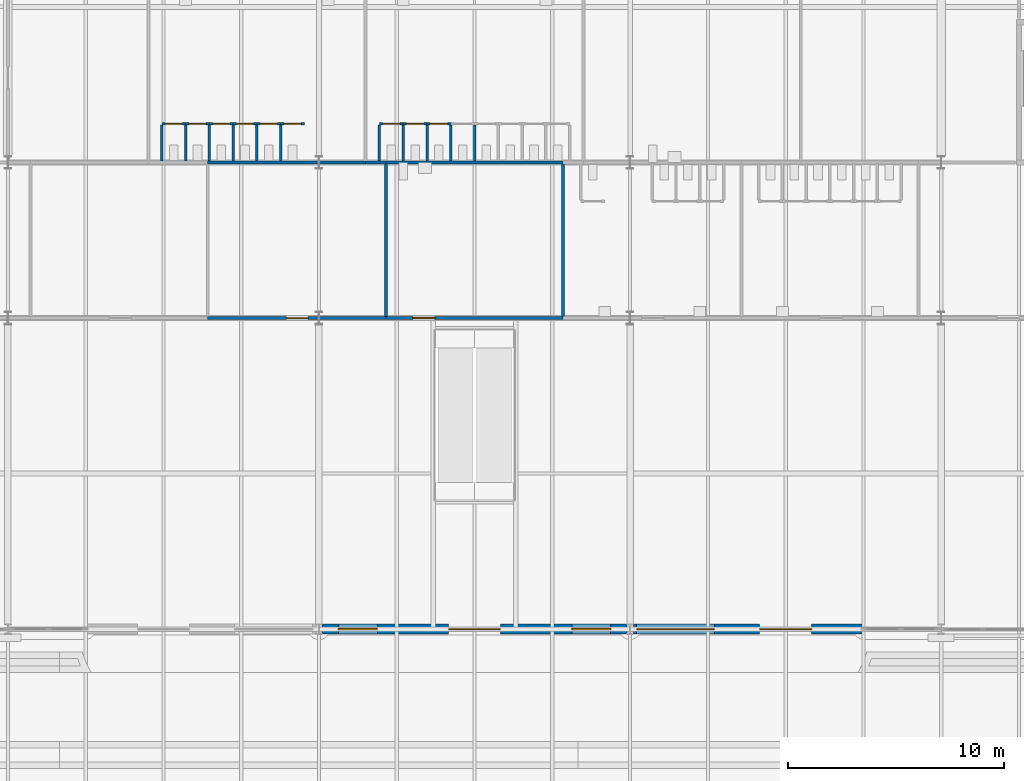
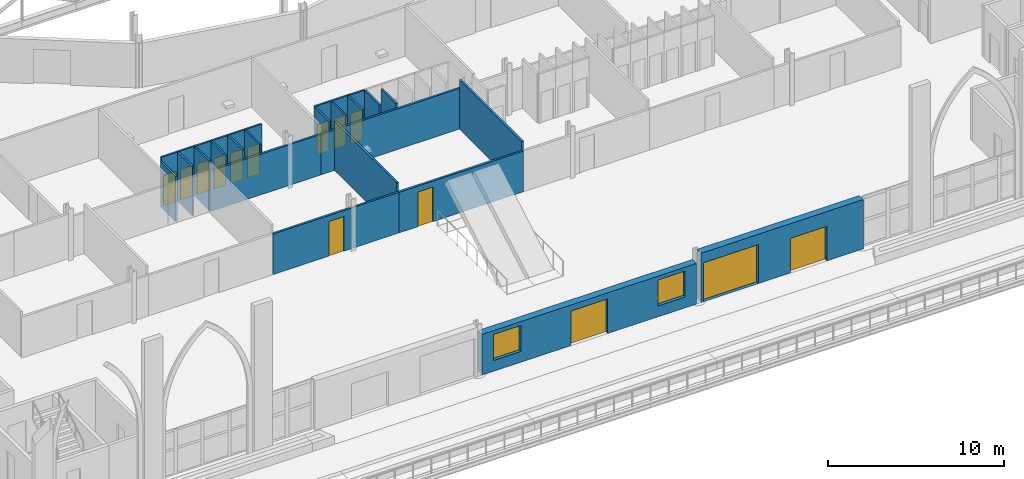
# One storey, part 69 of 143: 29 walls, 14 doors, 2 windows, 16 openings.
"""IFC4 building model written with IfcOpenShell, lengths in metres."""

from ifc_helpers import new_model, si_unit, direction, frame, frame_2d, origin, place, context, subcontext, project, spatial, rectangle, extrude, material, layer, layer_set, type_object, element, fill, save


model = new_model("IFC4")

# Units and contexts
model_context = context("Model", 3, precision=1e-05, world=origin(), true_north=direction((0.0, 1.0)))
body_context = subcontext(model_context, "Body", "Model", "MODEL_VIEW")
ifc_project = project(units=[si_unit("LENGTHUNIT", "METRE"), si_unit("AREAUNIT", "SQUARE_METRE"), si_unit("VOLUMEUNIT", "CUBIC_METRE"), si_unit("PLANEANGLEUNIT", "RADIAN"), si_unit("MASSUNIT", "GRAM", prefix="KILO")], contexts=[model_context])

# Site, building, storey
site_placement = place(None, origin())
site = spatial("IfcSite", under=ifc_project, at=site_placement, CompositionType="ELEMENT")
building_placement = place(site_placement, origin())
building = spatial("IfcBuilding", under=site, at=building_placement, Name="Kupolbacken Congress Centre", CompositionType="ELEMENT")
storey_placement = place(building_placement, frame((0.0, 0.0, 7.199951171875)))
storey = spatial("IfcBuildingStorey", under=building, at=storey_placement, Name="L02", CompositionType="ELEMENT", Elevation=7.199951171875)

# Wall, openings, door, windows
ifc_material_1 = material(Name="Concrete C40/50", Category="concrete")
ifc_layer_1 = layer(ifc_material_1, 0.1201171875)
ifc_material_2 = material(Name="Mineral wool", Category="insulation")
ifc_layer_2 = layer(ifc_material_2, 0.19189453125)
ifc_material_3 = material(Name="Air cavity", Category="air")
ifc_layer_3 = layer(ifc_material_3, 0.0400390625, ventilated=True)
ifc_material_4 = material(Name="Brick", Category="masonry")
ifc_layer_4 = layer(ifc_material_4, 0.10791015625)
ifc_layer_set_1 = layer_set([ifc_layer_1, ifc_layer_2, ifc_layer_3, ifc_layer_4], Name="Concrete C40/50 / Mineral wool / Brick")
wall_type_1 = type_object("IfcWallType", Name="EW06 external cavity wall 460", PredefinedType="SOLIDWALL", material=ifc_layer_set_1)
wall_1_placement = place(storey_placement, frame((36.14990234375, 28.800048828125, 0.0), z_axis=(0.0, 0.0, 1.0), x_axis=(1.0, 0.0, 0.0)))
wall_1 = element("IfcWall", 1, at=wall_1_placement, inside=storey, type_object=wall_type_1, Name="E/F/S/L02/235", PredefinedType="SOLIDWALL", context=body_context, shape_type="SweptSolid", body=[
    extrude(rectangle(XDim=14.10009765625, YDim=0.4599609375, at=frame_2d((7.050048828125, 0.0))), origin(), (0.0, 0.0, 1.0), 2.820068359375),
])
opening_1_placement = place(wall_1_placement, frame((5.85009765625, 0.0, 0.0)))
opening_1 = element("IfcOpeningElement", 2, at=opening_1_placement, cuts=wall_1, Name="Opening D18", PredefinedType="OPENING", context=body_context, shape_type="SweptSolid", body=[
    extrude(rectangle(XDim=2.39990234375, YDim=2.39990234375, at=frame_2d((1.199951171875, 1.199951171875))), frame((0.0, 0.239990234375, 0.0), z_axis=(0.0, -1.0, 0.0), x_axis=(1.0, 0.0, 0.0)), (0.0, 0.0, 1.0), 0.47998046875),
])
opening_2_placement = place(wall_1_placement, frame((0.75, 0.0, 0.75)))
opening_2 = element("IfcOpeningElement", 3, at=opening_2_placement, cuts=wall_1, Name="Opening W7", PredefinedType="OPENING", context=body_context, shape_type="SweptSolid", body=[
    extrude(rectangle(XDim=1.800048828125, YDim=1.800048828125, at=frame_2d((0.89990234375, 0.89990234375))), frame((0.0, 0.239990234375, 0.0), z_axis=(0.0, -1.0, 0.0), x_axis=(1.0, 0.0, 0.0)), (0.0, 0.0, 1.0), 0.47998046875),
])
opening_3_placement = place(wall_1_placement, frame((11.550048828125, 0.0, 0.75)))
opening_3 = element("IfcOpeningElement", 4, at=opening_3_placement, cuts=wall_1, Name="Opening W7", PredefinedType="OPENING", context=body_context, shape_type="SweptSolid", body=[
    extrude(rectangle(XDim=1.800048828125, YDim=1.800048828125, at=frame_2d((0.89990234375, 0.89990234375))), frame((0.0, 0.239990234375, 0.0), z_axis=(0.0, -1.0, 0.0), x_axis=(1.0, 0.0, 0.0)), (0.0, 0.0, 1.0), 0.47998046875),
])
ifc_material_5 = material(Name="Timber door leaf", Category="wood")
door_type_1 = type_object("IfcDoorType", Name="D18 door 2400x2400", OperationType="DOUBLE_DOOR_SINGLE_SWING", PredefinedType="DOOR", material=ifc_material_5)
door_1_placement = place(opening_1_placement, frame((2.39990234375, 0.0, 0.0), z_axis=(0.0, 0.0, 1.0), x_axis=(-1.0, 0.0, 0.0)))
door_1 = element("IfcDoor", 5, at=door_1_placement, inside=storey, type_object=door_type_1, Name="Terrace door 2", OperationType="DOUBLE_DOOR_SINGLE_SWING", OverallHeight=2.39990234375, OverallWidth=2.39990234375, PredefinedType="DOOR", context=body_context, shape_type="SweptSolid", body=[
    extrude(rectangle(XDim=2.39990234375, YDim=2.39990234375, at=frame_2d((1.199951171875, 1.199951171875))), frame((0.0, 0.02490234375, 0.0), z_axis=(0.0, -1.0, 0.0), x_axis=(1.0, 0.0, 0.0)), (0.0, 0.0, 1.0), 0.050048828125),
])
fill(opening_1, door_1)
ifc_material_6 = material(Name="Aluminium frame with double or triple glazing", Category="aluminium")
window_type = type_object("IfcWindowType", Name="W7 window 1800x1800", PartitioningType="DOUBLE_PANEL_VERTICAL", PredefinedType="WINDOW", material=ifc_material_6)
window_1_placement = place(opening_2_placement, origin())
window_1 = element("IfcWindow", 6, at=window_1_placement, inside=storey, type_object=window_type, Name="E/F/S/L02/235/W1", OverallHeight=1.800048828125, OverallWidth=1.800048828125, PartitioningType="SINGLE_PANEL", PredefinedType="WINDOW", context=body_context, shape_type="SweptSolid", body=[
    extrude(rectangle(XDim=1.800048828125, YDim=1.800048828125, at=frame_2d((0.89990234375, 0.89990234375))), frame((0.0, 0.030029296875, 0.0), z_axis=(0.0, -1.0, 0.0), x_axis=(1.0, 0.0, 0.0)), (0.0, 0.0, 1.0), 0.06005859375),
])
fill(opening_2, window_1)
window_2_placement = place(opening_3_placement, origin())
window_2 = element("IfcWindow", 7, at=window_2_placement, inside=storey, type_object=window_type, Name="E/F/S/L02/235/W2", OverallHeight=1.800048828125, OverallWidth=1.800048828125, PartitioningType="SINGLE_PANEL", PredefinedType="WINDOW", context=body_context, shape_type="SweptSolid", body=[
    extrude(rectangle(XDim=1.800048828125, YDim=1.800048828125, at=frame_2d((0.89990234375, 0.89990234375))), frame((0.0, 0.030029296875, 0.0), z_axis=(0.0, -1.0, 0.0), x_axis=(1.0, 0.0, 0.0)), (0.0, 0.0, 1.0), 0.06005859375),
])
fill(opening_3, window_2)

# Wall, openings, doors
wall_2_placement = place(storey_placement, frame((50.550048828125, 28.800048828125, 0.0), z_axis=(0.0, 0.0, 1.0), x_axis=(1.0, 0.0, 0.0)))
wall_2 = element("IfcWall", 8, at=wall_2_placement, inside=storey, type_object=wall_type_1, Name="E/F/S/L02/236", PredefinedType="SOLIDWALL", context=body_context, shape_type="SweptSolid", body=[
    extrude(rectangle(XDim=10.64990234375, YDim=0.4599609375, at=frame_2d((5.324951171875, 0.0))), origin(), (0.0, 0.0, 1.0), 3.420166015625),
])
opening_4_placement = place(wall_2_placement, frame((0.14990234375, 0.0, 0.0)))
opening_4 = element("IfcOpeningElement", 9, at=opening_4_placement, cuts=wall_2, Name="Opening D40", PredefinedType="OPENING", context=body_context, shape_type="SweptSolid", body=[
    extrude(rectangle(XDim=3.60009765625, YDim=2.699951171875, at=frame_2d((1.800048828125, 1.35009765625))), frame((0.0, 0.239990234375, 0.0), z_axis=(0.0, -1.0, 0.0), x_axis=(1.0, 0.0, 0.0)), (0.0, 0.0, 1.0), 0.47998046875),
])
opening_5_placement = place(wall_2_placement, frame((5.85009765625, 0.0, 0.0)))
opening_5 = element("IfcOpeningElement", 10, at=opening_5_placement, cuts=wall_2, Name="Opening D18", PredefinedType="OPENING", context=body_context, shape_type="SweptSolid", body=[
    extrude(rectangle(XDim=2.39990234375, YDim=2.39990234375, at=frame_2d((1.199951171875, 1.199951171875))), frame((0.0, 0.239990234375, 0.0), z_axis=(0.0, -1.0, 0.0), x_axis=(1.0, 0.0, 0.0)), (0.0, 0.0, 1.0), 0.47998046875),
])
door_2_placement = place(opening_5_placement, frame((2.39990234375, 0.0, 0.0), z_axis=(0.0, 0.0, 1.0), x_axis=(-1.0, 0.0, 0.0)))
door_2 = element("IfcDoor", 11, at=door_2_placement, inside=storey, type_object=door_type_1, Name="Terrace door 3", OperationType="DOUBLE_DOOR_SINGLE_SWING", OverallHeight=2.39990234375, OverallWidth=2.39990234375, PredefinedType="DOOR", context=body_context, shape_type="SweptSolid", body=[
    extrude(rectangle(XDim=2.39990234375, YDim=2.39990234375, at=frame_2d((1.199951171875, 1.199951171875))), frame((0.0, 0.02490234375, 0.0), z_axis=(0.0, -1.0, 0.0), x_axis=(1.0, 0.0, 0.0)), (0.0, 0.0, 1.0), 0.050048828125),
])
fill(opening_5, door_2)
ifc_material_7 = material(Name="Aluminium framed glazed door", Category="aluminium")
door_type_2 = type_object("IfcDoorType", Name="D40 entrance door pair 3600x2700", OperationType="DOUBLE_DOOR_SINGLE_SWING", PredefinedType="DOOR", material=ifc_material_7)
door_3_placement = place(opening_4_placement, frame((3.60009765625, 0.0, 0.0), z_axis=(0.0, 0.0, 1.0), x_axis=(-1.0, 0.0, 0.0)))
door_3 = element("IfcDoor", 12, at=door_3_placement, inside=storey, type_object=door_type_2, Name="South terrace entrance 2", OperationType="DOUBLE_DOOR_SINGLE_SWING", OverallHeight=2.699951171875, OverallWidth=3.60009765625, PredefinedType="DOOR", context=body_context, shape_type="SweptSolid", body=[
    extrude(rectangle(XDim=3.60009765625, YDim=2.699951171875, at=frame_2d((1.800048828125, 1.35009765625))), frame((0.0, 0.02490234375, 0.0), z_axis=(0.0, -1.0, 0.0), x_axis=(1.0, 0.0, 0.0)), (0.0, 0.0, 1.0), 0.050048828125),
])
fill(opening_4, door_3)

# Wall, opening, door
ifc_material_8 = material(Name="Gypsum board", Category="drywall")
ifc_layer_5 = layer(ifc_material_8, 0.114990234375)
ifc_layer_set_2 = layer_set([ifc_layer_5], Name="Gypsum board")
wall_type_2 = type_object("IfcWallType", Name="P04 partition 115", PredefinedType="PARTITIONING", material=ifc_layer_set_2)
wall_3_placement = place(storey_placement, frame((28.72509765625, 52.199951171875, 0.0), z_axis=(0.0, 0.0, 1.0), x_axis=(1.0, 0.0, 0.0)))
wall_3 = element("IfcWall", 13, at=wall_3_placement, inside=storey, type_object=wall_type_2, Name="PD/L02/P-23-5/cub01/F", PredefinedType="PARTITIONING", context=body_context, shape_type="SweptSolid", body=[
    extrude(rectangle(XDim=1.099853515625, YDim=0.114990234375, at=frame_2d((0.5498046875, 0.0))), origin(), (0.0, 0.0, 1.0), 3.420166015625),
])
opening_6_placement = place(wall_3_placement, frame((0.14990234375, 0.0, 0.0)))
opening_6 = element("IfcOpeningElement", 14, at=opening_6_placement, cuts=wall_3, Name="Opening 2.WP55", PredefinedType="OPENING", context=body_context, shape_type="SweptSolid", body=[
    extrude(rectangle(XDim=0.800048828125, YDim=2.10009765625, at=frame_2d((0.39990234375, 1.050048828125))), frame((0.0, 0.0673828125, 0.0), z_axis=(0.0, -1.0, 0.0), x_axis=(1.0, 0.0, 0.0)), (0.0, 0.0, 1.0), 0.135009765625),
])
ifc_material_9 = material(Name="Timber door leaf", Category="wood")
door_type_3 = type_object("IfcDoorType", Name="D2 door 800x2100", OperationType="SINGLE_SWING_LEFT", PredefinedType="DOOR", material=ifc_material_9)
door_4_placement = place(opening_6_placement, origin())
door_4 = element("IfcDoor", 15, at=door_4_placement, inside=storey, type_object=door_type_3, Name="PD/L02/P-23-5/cub01/F/DC", OperationType="SINGLE_SWING_RIGHT", OverallHeight=2.10009765625, OverallWidth=0.800048828125, PredefinedType="DOOR", context=body_context, shape_type="SweptSolid", body=[
    extrude(rectangle(XDim=0.800048828125, YDim=2.10009765625, at=frame_2d((0.39990234375, 1.050048828125))), frame((0.0, 0.02490234375, 0.0), z_axis=(0.0, -1.0, 0.0), x_axis=(1.0, 0.0, 0.0)), (0.0, 0.0, 1.0), 0.050048828125),
])
fill(opening_6, door_4)

# Wall
wall_4_placement = place(storey_placement, frame((28.72509765625, 50.45751953125, 0.0), z_axis=(0.0, 0.0, 1.0), x_axis=(0.0, 1.0, 0.0)))
element("IfcWall", 16, at=wall_4_placement, inside=storey, type_object=wall_type_2, Name="PD/L02/P-23-5/cub01/a", PredefinedType="PARTITIONING", context=body_context, shape_type="SweptSolid", body=[
    extrude(rectangle(XDim=1.68505859375, YDim=0.114990234375, at=frame_2d((0.842529296875, 0.0))), origin(), (0.0, 0.0, 1.0), 3.1201171875),
])

# Wall, opening, door
wall_5_placement = place(storey_placement, frame((29.824951171875, 52.199951171875, 0.0), z_axis=(0.0, 0.0, 1.0), x_axis=(1.0, 0.0, 0.0)))
wall_5 = element("IfcWall", 17, at=wall_5_placement, inside=storey, type_object=wall_type_2, Name="PD/L02/P-23-5/cub02/F", PredefinedType="PARTITIONING", context=body_context, shape_type="SweptSolid", body=[
    extrude(rectangle(XDim=1.10009765625, YDim=0.114990234375, at=frame_2d((0.550048828125, 0.0))), origin(), (0.0, 0.0, 1.0), 3.420166015625),
])
opening_7_placement = place(wall_5_placement, frame((0.14990234375, 0.0, 0.0)))
opening_7 = element("IfcOpeningElement", 18, at=opening_7_placement, cuts=wall_5, Name="Opening 2.WP56", PredefinedType="OPENING", context=body_context, shape_type="SweptSolid", body=[
    extrude(rectangle(XDim=0.800048828125, YDim=2.10009765625, at=frame_2d((0.39990234375, 1.050048828125))), frame((0.0, 0.0673828125, 0.0), z_axis=(0.0, -1.0, 0.0), x_axis=(1.0, 0.0, 0.0)), (0.0, 0.0, 1.0), 0.135009765625),
])
door_5_placement = place(opening_7_placement, origin())
door_5 = element("IfcDoor", 19, at=door_5_placement, inside=storey, type_object=door_type_3, Name="PD/L02/P-23-5/cub02/F/DC", OperationType="SINGLE_SWING_RIGHT", OverallHeight=2.10009765625, OverallWidth=0.800048828125, PredefinedType="DOOR", context=body_context, shape_type="SweptSolid", body=[
    extrude(rectangle(XDim=0.800048828125, YDim=2.10009765625, at=frame_2d((0.39990234375, 1.050048828125))), frame((0.0, 0.02490234375, 0.0), z_axis=(0.0, -1.0, 0.0), x_axis=(1.0, 0.0, 0.0)), (0.0, 0.0, 1.0), 0.050048828125),
])
fill(opening_7, door_5)

# Wall
wall_6_placement = place(storey_placement, frame((29.824951171875, 50.45751953125, 0.0), z_axis=(0.0, 0.0, 1.0), x_axis=(0.0, 1.0, 0.0)))
element("IfcWall", 20, at=wall_6_placement, inside=storey, type_object=wall_type_2, Name="PD/L02/P-23-5/cub02/a", PredefinedType="PARTITIONING", context=body_context, shape_type="SweptSolid", body=[
    extrude(rectangle(XDim=1.68505859375, YDim=0.114990234375, at=frame_2d((0.842529296875, 0.0))), origin(), (0.0, 0.0, 1.0), 3.420166015625),
])

# Wall, opening, door
wall_7_placement = place(storey_placement, frame((30.925048828125, 52.199951171875, 0.0), z_axis=(0.0, 0.0, 1.0), x_axis=(1.0, 0.0, 0.0)))
wall_7 = element("IfcWall", 21, at=wall_7_placement, inside=storey, type_object=wall_type_2, Name="PD/L02/P-23-5/cub03/F", PredefinedType="PARTITIONING", context=body_context, shape_type="SweptSolid", body=[
    extrude(rectangle(XDim=1.099853515625, YDim=0.114990234375, at=frame_2d((0.5498046875, 0.0))), origin(), (0.0, 0.0, 1.0), 3.420166015625),
])
opening_8_placement = place(wall_7_placement, frame((0.14990234375, 0.0, 0.0)))
opening_8 = element("IfcOpeningElement", 22, at=opening_8_placement, cuts=wall_7, Name="Opening 2.WP57", PredefinedType="OPENING", context=body_context, shape_type="SweptSolid", body=[
    extrude(rectangle(XDim=0.800048828125, YDim=2.10009765625, at=frame_2d((0.39990234375, 1.050048828125))), frame((0.0, 0.0673828125, 0.0), z_axis=(0.0, -1.0, 0.0), x_axis=(1.0, 0.0, 0.0)), (0.0, 0.0, 1.0), 0.135009765625),
])
door_6_placement = place(opening_8_placement, origin())
door_6 = element("IfcDoor", 23, at=door_6_placement, inside=storey, type_object=door_type_3, Name="PD/L02/P-23-5/cub03/F/DC", OperationType="SINGLE_SWING_RIGHT", OverallHeight=2.10009765625, OverallWidth=0.800048828125, PredefinedType="DOOR", context=body_context, shape_type="SweptSolid", body=[
    extrude(rectangle(XDim=0.800048828125, YDim=2.10009765625, at=frame_2d((0.39990234375, 1.050048828125))), frame((0.0, 0.02490234375, 0.0), z_axis=(0.0, -1.0, 0.0), x_axis=(1.0, 0.0, 0.0)), (0.0, 0.0, 1.0), 0.050048828125),
])
fill(opening_8, door_6)

# Wall
wall_8_placement = place(storey_placement, frame((30.925048828125, 50.45751953125, 0.0), z_axis=(0.0, 0.0, 1.0), x_axis=(0.0, 1.0, 0.0)))
element("IfcWall", 24, at=wall_8_placement, inside=storey, type_object=wall_type_2, Name="PD/L02/P-23-5/cub03/a", PredefinedType="PARTITIONING", context=body_context, shape_type="SweptSolid", body=[
    extrude(rectangle(XDim=1.68505859375, YDim=0.114990234375, at=frame_2d((0.842529296875, 0.0))), origin(), (0.0, 0.0, 1.0), 3.420166015625),
])

# Wall, opening, door
wall_9_placement = place(storey_placement, frame((32.02490234375, 52.199951171875, 0.0), z_axis=(0.0, 0.0, 1.0), x_axis=(1.0, 0.0, 0.0)))
wall_9 = element("IfcWall", 25, at=wall_9_placement, inside=storey, type_object=wall_type_2, Name="PD/L02/P-23-5/cub04/F", PredefinedType="PARTITIONING", context=body_context, shape_type="SweptSolid", body=[
    extrude(rectangle(XDim=1.10009765625, YDim=0.114990234375, at=frame_2d((0.550048828125, 0.0))), origin(), (0.0, 0.0, 1.0), 3.420166015625),
])
opening_9_placement = place(wall_9_placement, frame((0.14990234375, 0.0, 0.0)))
opening_9 = element("IfcOpeningElement", 26, at=opening_9_placement, cuts=wall_9, Name="Opening 2.WP58", PredefinedType="OPENING", context=body_context, shape_type="SweptSolid", body=[
    extrude(rectangle(XDim=0.800048828125, YDim=2.10009765625, at=frame_2d((0.39990234375, 1.050048828125))), frame((0.0, 0.0673828125, 0.0), z_axis=(0.0, -1.0, 0.0), x_axis=(1.0, 0.0, 0.0)), (0.0, 0.0, 1.0), 0.135009765625),
])
door_7_placement = place(opening_9_placement, origin())
door_7 = element("IfcDoor", 27, at=door_7_placement, inside=storey, type_object=door_type_3, Name="PD/L02/P-23-5/cub04/F/DC", OperationType="SINGLE_SWING_RIGHT", OverallHeight=2.10009765625, OverallWidth=0.800048828125, PredefinedType="DOOR", context=body_context, shape_type="SweptSolid", body=[
    extrude(rectangle(XDim=0.800048828125, YDim=2.10009765625, at=frame_2d((0.39990234375, 1.050048828125))), frame((0.0, 0.02490234375, 0.0), z_axis=(0.0, -1.0, 0.0), x_axis=(1.0, 0.0, 0.0)), (0.0, 0.0, 1.0), 0.050048828125),
])
fill(opening_9, door_7)

# Wall
wall_10_placement = place(storey_placement, frame((32.02490234375, 50.45751953125, 0.0), z_axis=(0.0, 0.0, 1.0), x_axis=(0.0, 1.0, 0.0)))
element("IfcWall", 28, at=wall_10_placement, inside=storey, type_object=wall_type_2, Name="PD/L02/P-23-5/cub04/a", PredefinedType="PARTITIONING", context=body_context, shape_type="SweptSolid", body=[
    extrude(rectangle(XDim=1.68505859375, YDim=0.114990234375, at=frame_2d((0.842529296875, 0.0))), origin(), (0.0, 0.0, 1.0), 3.420166015625),
])

# Wall, opening, door
wall_11_placement = place(storey_placement, frame((33.125, 52.199951171875, 0.0), z_axis=(0.0, 0.0, 1.0), x_axis=(1.0, 0.0, 0.0)))
wall_11 = element("IfcWall", 29, at=wall_11_placement, inside=storey, type_object=wall_type_2, Name="PD/L02/P-23-5/cub05/F", PredefinedType="PARTITIONING", context=body_context, shape_type="SweptSolid", body=[
    extrude(rectangle(XDim=1.10009765625, YDim=0.114990234375, at=frame_2d((0.550048828125, 0.0))), origin(), (0.0, 0.0, 1.0), 3.420166015625),
])
opening_10_placement = place(wall_11_placement, frame((0.14990234375, 0.0, 0.0)))
opening_10 = element("IfcOpeningElement", 30, at=opening_10_placement, cuts=wall_11, Name="Opening 2.WP59", PredefinedType="OPENING", context=body_context, shape_type="SweptSolid", body=[
    extrude(rectangle(XDim=0.800048828125, YDim=2.10009765625, at=frame_2d((0.39990234375, 1.050048828125))), frame((0.0, 0.0673828125, 0.0), z_axis=(0.0, -1.0, 0.0), x_axis=(1.0, 0.0, 0.0)), (0.0, 0.0, 1.0), 0.135009765625),
])
door_8_placement = place(opening_10_placement, origin())
door_8 = element("IfcDoor", 31, at=door_8_placement, inside=storey, type_object=door_type_3, Name="PD/L02/P-23-5/cub05/F/DC", OperationType="SINGLE_SWING_LEFT", OverallHeight=2.10009765625, OverallWidth=0.800048828125, PredefinedType="DOOR", context=body_context, shape_type="SweptSolid", body=[
    extrude(rectangle(XDim=0.800048828125, YDim=2.10009765625, at=frame_2d((0.39990234375, 1.050048828125))), frame((0.0, 0.02490234375, 0.0), z_axis=(0.0, -1.0, 0.0), x_axis=(1.0, 0.0, 0.0)), (0.0, 0.0, 1.0), 0.050048828125),
])
fill(opening_10, door_8)

# Wall
wall_12_placement = place(storey_placement, frame((33.125, 50.45751953125, 0.0), z_axis=(0.0, 0.0, 1.0), x_axis=(0.0, 1.0, 0.0)))
element("IfcWall", 32, at=wall_12_placement, inside=storey, type_object=wall_type_2, Name="PD/L02/P-23-5/cub05/a", PredefinedType="PARTITIONING", context=body_context, shape_type="SweptSolid", body=[
    extrude(rectangle(XDim=1.68505859375, YDim=0.114990234375, at=frame_2d((0.842529296875, 0.0))), origin(), (0.0, 0.0, 1.0), 3.420166015625),
])

# Wall, opening, door
wall_13_placement = place(storey_placement, frame((34.22509765625, 52.199951171875, 0.0), z_axis=(0.0, 0.0, 1.0), x_axis=(1.0, 0.0, 0.0)))
wall_13 = element("IfcWall", 33, at=wall_13_placement, inside=storey, type_object=wall_type_2, Name="PD/L02/P-23-5/cub06/F", PredefinedType="PARTITIONING", context=body_context, shape_type="SweptSolid", body=[
    extrude(rectangle(XDim=1.099853515625, YDim=0.114990234375, at=frame_2d((0.5498046875, 0.0))), origin(), (0.0, 0.0, 1.0), 3.420166015625),
])
opening_11_placement = place(wall_13_placement, frame((0.14990234375, 0.0, 0.0)))
opening_11 = element("IfcOpeningElement", 34, at=opening_11_placement, cuts=wall_13, Name="Opening 2.WP60", PredefinedType="OPENING", context=body_context, shape_type="SweptSolid", body=[
    extrude(rectangle(XDim=0.800048828125, YDim=2.10009765625, at=frame_2d((0.39990234375, 1.050048828125))), frame((0.0, 0.0673828125, 0.0), z_axis=(0.0, -1.0, 0.0), x_axis=(1.0, 0.0, 0.0)), (0.0, 0.0, 1.0), 0.135009765625),
])
door_9_placement = place(opening_11_placement, origin())
door_9 = element("IfcDoor", 35, at=door_9_placement, inside=storey, type_object=door_type_3, Name="PD/L02/P-23-5/cub06/F/DC", OperationType="SINGLE_SWING_LEFT", OverallHeight=2.10009765625, OverallWidth=0.800048828125, PredefinedType="DOOR", context=body_context, shape_type="SweptSolid", body=[
    extrude(rectangle(XDim=0.800048828125, YDim=2.10009765625, at=frame_2d((0.39990234375, 1.050048828125))), frame((0.0, 0.02490234375, 0.0), z_axis=(0.0, -1.0, 0.0), x_axis=(1.0, 0.0, 0.0)), (0.0, 0.0, 1.0), 0.050048828125),
])
fill(opening_11, door_9)

# Wall
wall_14_placement = place(storey_placement, frame((34.22509765625, 50.45751953125, 0.0), z_axis=(0.0, 0.0, 1.0), x_axis=(0.0, 1.0, 0.0)))
element("IfcWall", 36, at=wall_14_placement, inside=storey, type_object=wall_type_2, Name="PD/L02/P-23-5/cub06/a", PredefinedType="PARTITIONING", context=body_context, shape_type="SweptSolid", body=[
    extrude(rectangle(XDim=1.68505859375, YDim=0.114990234375, at=frame_2d((0.842529296875, 0.0))), origin(), (0.0, 0.0, 1.0), 3.420166015625),
])

# Wall, opening, door
wall_15_placement = place(storey_placement, frame((38.800048828125, 52.199951171875, 0.0), z_axis=(0.0, 0.0, 1.0), x_axis=(1.0, 0.0, 0.0)))
wall_15 = element("IfcWall", 37, at=wall_15_placement, inside=storey, type_object=wall_type_2, Name="PD/L02/P-24-6/cub01/F", PredefinedType="PARTITIONING", context=body_context, shape_type="SweptSolid", body=[
    extrude(rectangle(XDim=1.099853515625, YDim=0.114990234375, at=frame_2d((0.5498046875, 0.0))), origin(), (0.0, 0.0, 1.0), 3.420166015625),
])
opening_12_placement = place(wall_15_placement, frame((0.14990234375, 0.0, 0.0)))
opening_12 = element("IfcOpeningElement", 38, at=opening_12_placement, cuts=wall_15, Name="Opening 2.WP61", PredefinedType="OPENING", context=body_context, shape_type="SweptSolid", body=[
    extrude(rectangle(XDim=0.800048828125, YDim=2.10009765625, at=frame_2d((0.39990234375, 1.050048828125))), frame((0.0, 0.0673828125, 0.0), z_axis=(0.0, -1.0, 0.0), x_axis=(1.0, 0.0, 0.0)), (0.0, 0.0, 1.0), 0.135009765625),
])
door_10_placement = place(opening_12_placement, origin())
door_10 = element("IfcDoor", 39, at=door_10_placement, inside=storey, type_object=door_type_3, Name="PD/L02/P-24-6/cub01/F/DC", OperationType="SINGLE_SWING_RIGHT", OverallHeight=2.10009765625, OverallWidth=0.800048828125, PredefinedType="DOOR", context=body_context, shape_type="SweptSolid", body=[
    extrude(rectangle(XDim=0.800048828125, YDim=2.10009765625, at=frame_2d((0.39990234375, 1.050048828125))), frame((0.0, 0.02490234375, 0.0), z_axis=(0.0, -1.0, 0.0), x_axis=(1.0, 0.0, 0.0)), (0.0, 0.0, 1.0), 0.050048828125),
])
fill(opening_12, door_10)

# Wall
wall_16_placement = place(storey_placement, frame((38.800048828125, 50.45751953125, 0.0), z_axis=(0.0, 0.0, 1.0), x_axis=(0.0, 1.0, 0.0)))
element("IfcWall", 40, at=wall_16_placement, inside=storey, type_object=wall_type_2, Name="PD/L02/P-24-6/cub01/a", PredefinedType="PARTITIONING", context=body_context, shape_type="SweptSolid", body=[
    extrude(rectangle(XDim=1.68505859375, YDim=0.114990234375, at=frame_2d((0.842529296875, 0.0))), origin(), (0.0, 0.0, 1.0), 3.420166015625),
])

# Wall, opening, door
wall_17_placement = place(storey_placement, frame((39.89990234375, 52.199951171875, 0.0), z_axis=(0.0, 0.0, 1.0), x_axis=(1.0, 0.0, 0.0)))
wall_17 = element("IfcWall", 41, at=wall_17_placement, inside=storey, type_object=wall_type_2, Name="PD/L02/P-24-6/cub02/F", PredefinedType="PARTITIONING", context=body_context, shape_type="SweptSolid", body=[
    extrude(rectangle(XDim=1.10009765625, YDim=0.114990234375, at=frame_2d((0.550048828125, 0.0))), origin(), (0.0, 0.0, 1.0), 3.420166015625),
])
opening_13_placement = place(wall_17_placement, frame((0.14990234375, 0.0, 0.0)))
opening_13 = element("IfcOpeningElement", 42, at=opening_13_placement, cuts=wall_17, Name="Opening 2.WP62", PredefinedType="OPENING", context=body_context, shape_type="SweptSolid", body=[
    extrude(rectangle(XDim=0.800048828125, YDim=2.10009765625, at=frame_2d((0.39990234375, 1.050048828125))), frame((0.0, 0.0673828125, 0.0), z_axis=(0.0, -1.0, 0.0), x_axis=(1.0, 0.0, 0.0)), (0.0, 0.0, 1.0), 0.135009765625),
])
door_11_placement = place(opening_13_placement, origin())
door_11 = element("IfcDoor", 43, at=door_11_placement, inside=storey, type_object=door_type_3, Name="PD/L02/P-24-6/cub02/F/DC", OperationType="SINGLE_SWING_RIGHT", OverallHeight=2.10009765625, OverallWidth=0.800048828125, PredefinedType="DOOR", context=body_context, shape_type="SweptSolid", body=[
    extrude(rectangle(XDim=0.800048828125, YDim=2.10009765625, at=frame_2d((0.39990234375, 1.050048828125))), frame((0.0, 0.02490234375, 0.0), z_axis=(0.0, -1.0, 0.0), x_axis=(1.0, 0.0, 0.0)), (0.0, 0.0, 1.0), 0.050048828125),
])
fill(opening_13, door_11)

# Wall
wall_18_placement = place(storey_placement, frame((39.89990234375, 50.45751953125, 0.0), z_axis=(0.0, 0.0, 1.0), x_axis=(0.0, 1.0, 0.0)))
element("IfcWall", 44, at=wall_18_placement, inside=storey, type_object=wall_type_2, Name="PD/L02/P-24-6/cub02/a", PredefinedType="PARTITIONING", context=body_context, shape_type="SweptSolid", body=[
    extrude(rectangle(XDim=1.68505859375, YDim=0.114990234375, at=frame_2d((0.842529296875, 0.0))), origin(), (0.0, 0.0, 1.0), 3.420166015625),
])

# Wall, opening, door
wall_19_placement = place(storey_placement, frame((41.0, 52.199951171875, 0.0), z_axis=(0.0, 0.0, 1.0), x_axis=(1.0, 0.0, 0.0)))
wall_19 = element("IfcWall", 45, at=wall_19_placement, inside=storey, type_object=wall_type_2, Name="PD/L02/P-24-6/cub03/F", PredefinedType="PARTITIONING", context=body_context, shape_type="SweptSolid", body=[
    extrude(rectangle(XDim=1.10009765625, YDim=0.114990234375, at=frame_2d((0.550048828125, 0.0))), origin(), (0.0, 0.0, 1.0), 3.420166015625),
])
opening_14_placement = place(wall_19_placement, frame((0.14990234375, 0.0, 0.0)))
opening_14 = element("IfcOpeningElement", 46, at=opening_14_placement, cuts=wall_19, Name="Opening 2.WP63", PredefinedType="OPENING", context=body_context, shape_type="SweptSolid", body=[
    extrude(rectangle(XDim=0.800048828125, YDim=2.10009765625, at=frame_2d((0.39990234375, 1.050048828125))), frame((0.0, 0.0673828125, 0.0), z_axis=(0.0, -1.0, 0.0), x_axis=(1.0, 0.0, 0.0)), (0.0, 0.0, 1.0), 0.135009765625),
])
door_12_placement = place(opening_14_placement, origin())
door_12 = element("IfcDoor", 47, at=door_12_placement, inside=storey, type_object=door_type_3, Name="PD/L02/P-24-6/cub03/F/DC", OperationType="SINGLE_SWING_RIGHT", OverallHeight=2.10009765625, OverallWidth=0.800048828125, PredefinedType="DOOR", context=body_context, shape_type="SweptSolid", body=[
    extrude(rectangle(XDim=0.800048828125, YDim=2.10009765625, at=frame_2d((0.39990234375, 1.050048828125))), frame((0.0, 0.02490234375, 0.0), z_axis=(0.0, -1.0, 0.0), x_axis=(1.0, 0.0, 0.0)), (0.0, 0.0, 1.0), 0.050048828125),
])
fill(opening_14, door_12)

# Walls
for number, where, z_axis, x_axis, name in (
    (48, (41.0, 50.45751953125, 0.0), (0.0, 0.0, 1.0), (0.0, 1.0, 0.0), "PD/L02/P-24-6/cub03/a"),
    (49, (42.10009765625, 50.45751953125, 0.0), (0.0, 0.0, 1.0), (0.0, 1.0, 0.0), "PD/L02/P-24-6/cub04/a"),
):
    element("IfcWall", number, at=place(storey_placement, frame(where, z_axis=z_axis, x_axis=x_axis)), inside=storey, type_object=wall_type_2, Name=name, PredefinedType="PARTITIONING", context=body_context, shape_type="SweptSolid", body=[
        extrude(rectangle(XDim=1.68505859375, YDim=0.114990234375, at=frame_2d((0.842529296875, 0.0))), origin(), (0.0, 0.0, 1.0), 3.420166015625),
    ])
wall_20_placement = place(storey_placement, frame((43.199951171875, 50.45751953125, 0.0), z_axis=(0.0, 0.0, 1.0), x_axis=(0.0, 1.0, 0.0)))
element("IfcWall", 50, at=wall_20_placement, inside=storey, type_object=wall_type_2, Name="PD/L02/P-24-6/cub05/a", PredefinedType="PARTITIONING", context=body_context, shape_type="SweptSolid", body=[
    extrude(rectangle(XDim=1.68505859375, YDim=0.114990234375, at=frame_2d((0.842529296875, 0.0))), origin(), (0.0, 0.0, 1.0), 3.1201171875),
])

# Wall, opening, door
ifc_material_10 = material(Name="Gypsum board", Category="drywall")
ifc_layer_6 = layer(ifc_material_10, 0.135009765625)
ifc_layer_set_3 = layer_set([ifc_layer_6], Name="Gypsum board")
wall_type_3 = type_object("IfcWallType", Name="P06 compartment wall 135", PredefinedType="PARTITIONING", material=ifc_layer_set_3)
wall_21_placement = place(storey_placement, frame((30.85009765625, 43.199951171875, 0.0), z_axis=(0.0, 0.0, 1.0), x_axis=(1.0, 0.0, 0.0)))
wall_21 = element("IfcWall", 51, at=wall_21_placement, inside=storey, type_object=wall_type_3, Name="PD/L02/W019", PredefinedType="PARTITIONING", context=body_context, shape_type="SweptSolid", body=[
    extrude(rectangle(XDim=8.25, YDim=0.135009765625, at=frame_2d((4.125, 0.0))), origin(), (0.0, 0.0, 1.0), 2.820068359375),
])
opening_15_placement = place(wall_21_placement, frame((3.64990234375, 0.0, 0.0)))
opening_15 = element("IfcOpeningElement", 52, at=opening_15_placement, cuts=wall_21, Name="Opening 2.F09", PredefinedType="OPENING", context=body_context, shape_type="SweptSolid", body=[
    extrude(rectangle(XDim=1.0, YDim=2.39990234375, at=frame_2d((0.5, 1.199951171875))), frame((0.0, 0.077392578125, 0.0), z_axis=(0.0, -1.0, 0.0), x_axis=(1.0, 0.0, 0.0)), (0.0, 0.0, 1.0), 0.155029296875),
])
ifc_material_11 = material(Name="Steel fire door leaf", Category="steel")
door_type_4 = type_object("IfcDoorType", Name="D8 fire door 1000x2400", OperationType="SINGLE_SWING_LEFT", PredefinedType="DOOR", material=ifc_material_11)
door_13_placement = place(opening_15_placement, origin())
door_13 = element("IfcDoor", 53, at=door_13_placement, inside=storey, type_object=door_type_4, Name="PD/L02/W019/D2F09", OperationType="SINGLE_SWING_RIGHT", OverallHeight=2.39990234375, OverallWidth=1.0, PredefinedType="DOOR", context=body_context, shape_type="SweptSolid", body=[
    extrude(rectangle(XDim=1.0, YDim=2.39990234375, at=frame_2d((0.5, 1.199951171875))), frame((0.0, 0.02490234375, 0.0), z_axis=(0.0, -1.0, 0.0), x_axis=(1.0, 0.0, 0.0)), (0.0, 0.0, 1.0), 0.050048828125),
])
fill(opening_15, door_13)

wall_22_placement = place(storey_placement, frame((39.10009765625, 43.199951171875, 0.0), z_axis=(0.0, 0.0, 1.0), x_axis=(1.0, 0.0, 0.0)))
wall_22 = element("IfcWall", 54, at=wall_22_placement, inside=storey, type_object=wall_type_3, Name="PD/L02/W020", PredefinedType="PARTITIONING", context=body_context, shape_type="SweptSolid", body=[
    extrude(rectangle(XDim=8.199951171875, YDim=0.135009765625, at=frame_2d((4.10009765625, 0.0))), origin(), (0.0, 0.0, 1.0), 2.820068359375),
])
opening_16_placement = place(wall_22_placement, frame((1.25, 0.0, 0.0)))
opening_16 = element("IfcOpeningElement", 55, at=opening_16_placement, cuts=wall_22, Name="Opening 2.F10", PredefinedType="OPENING", context=body_context, shape_type="SweptSolid", body=[
    extrude(rectangle(XDim=1.0, YDim=2.39990234375, at=frame_2d((0.5, 1.199951171875))), frame((0.0, 0.077392578125, 0.0), z_axis=(0.0, -1.0, 0.0), x_axis=(1.0, 0.0, 0.0)), (0.0, 0.0, 1.0), 0.155029296875),
])
door_14_placement = place(opening_16_placement, frame((1.0, 0.0, 0.0), z_axis=(0.0, 0.0, 1.0), x_axis=(-1.0, 0.0, 0.0)))
door_14 = element("IfcDoor", 56, at=door_14_placement, inside=storey, type_object=door_type_4, Name="PD/L02/W020/D2F10", OperationType="SINGLE_SWING_RIGHT", OverallHeight=2.39990234375, OverallWidth=1.0, PredefinedType="DOOR", context=body_context, shape_type="SweptSolid", body=[
    extrude(rectangle(XDim=1.0, YDim=2.39990234375, at=frame_2d((0.5, 1.199951171875))), frame((0.0, 0.02490234375, 0.0), z_axis=(0.0, -1.0, 0.0), x_axis=(1.0, 0.0, 0.0)), (0.0, 0.0, 1.0), 0.050048828125),
])
fill(opening_16, door_14)

# Walls
wall_23_placement = place(storey_placement, frame((39.10009765625, 50.33251953125, 0.0), z_axis=(0.0, 0.0, 1.0), x_axis=(0.0, -1.0, 0.0)))
element("IfcWall", 57, at=wall_23_placement, inside=storey, type_object=wall_type_3, Name="PD/L02/W030", PredefinedType="PARTITIONING", context=body_context, shape_type="SweptSolid", body=[
    extrude(rectangle(XDim=7.06494140625, YDim=0.135009765625, at=frame_2d((3.532470703125, 0.0))), origin(), (0.0, 0.0, 1.0), 3.420166015625),
])
wall_24_placement = place(storey_placement, frame((30.85009765625, 50.39990234375, 0.0), z_axis=(0.0, 0.0, 1.0), x_axis=(1.0, 0.0, 0.0)))
element("IfcWall", 58, at=wall_24_placement, inside=storey, type_object=wall_type_3, Name="PD/L02/W031", PredefinedType="PARTITIONING", context=body_context, shape_type="SweptSolid", body=[
    extrude(rectangle(XDim=7.2998046875, YDim=0.135009765625, at=frame_2d((3.64990234375, 0.0))), origin(), (0.0, 0.0, 1.0), 2.820068359375),
])
wall_25_placement = place(storey_placement, frame((38.14990234375, 50.39990234375, 0.0), z_axis=(0.0, 0.0, 1.0), x_axis=(1.0, 0.0, 0.0)))
element("IfcWall", 59, at=wall_25_placement, inside=storey, type_object=wall_type_3, Name="PD/L02/W032", PredefinedType="PARTITIONING", context=body_context, shape_type="SweptSolid", body=[
    extrude(rectangle(XDim=0.9501953125, YDim=0.135009765625, at=frame_2d((0.47509765625, 0.0))), origin(), (0.0, 0.0, 1.0), 2.820068359375),
])
wall_26_placement = place(storey_placement, frame((47.300048828125, 50.33251953125, 0.0), z_axis=(0.0, 0.0, 1.0), x_axis=(0.0, -1.0, 0.0)))
element("IfcWall", 60, at=wall_26_placement, inside=storey, type_object=wall_type_3, Name="PD/L02/W033", PredefinedType="PARTITIONING", context=body_context, shape_type="SweptSolid", body=[
    extrude(rectangle(XDim=7.06494140625, YDim=0.135009765625, at=frame_2d((3.532470703125, 0.0))), origin(), (0.0, 0.0, 1.0), 3.420166015625),
])
wall_27_placement = place(storey_placement, frame((39.10009765625, 50.39990234375, 0.0), z_axis=(0.0, 0.0, 1.0), x_axis=(1.0, 0.0, 0.0)))
element("IfcWall", 61, at=wall_27_placement, inside=storey, type_object=wall_type_3, Name="PD/L02/W034", PredefinedType="PARTITIONING", context=body_context, shape_type="SweptSolid", body=[
    extrude(rectangle(XDim=8.199951171875, YDim=0.135009765625, at=frame_2d((4.10009765625, 0.0))), origin(), (0.0, 0.0, 1.0), 2.820068359375),
])

save(model, "model.ifc")
